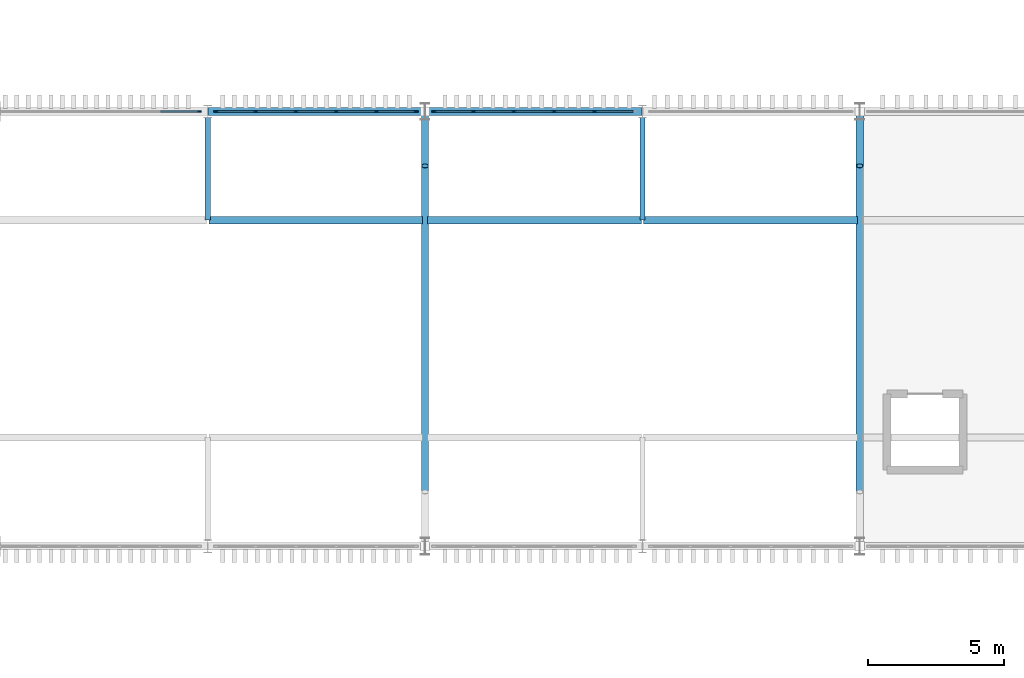
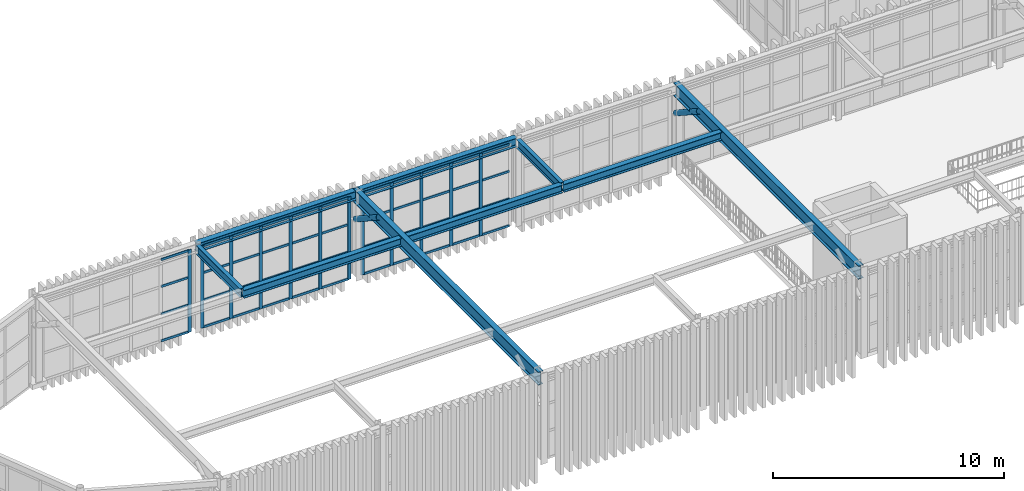
# One storey, part 23 of 61: 58 members, 9 beams, 3 elements without a shape of their own.
"""IFC4 building model written with IfcOpenShell, lengths in metres."""

from ifc_helpers import new_model, si_unit, direction, frame, origin, origin_2d, place, context, subcontext, project, spatial, rectangle, hollow_circle, i_section, extrude, material, material_profile, profile_set, type_object, element, aggregate, save


model = new_model("IFC4")

# Units and contexts
model_context = context("Model", 3, precision=1e-05, world=origin(), true_north=direction((0.0, 1.0)))
body_context = subcontext(model_context, "Body", "Model", "MODEL_VIEW")
ifc_project = project(units=[si_unit("LENGTHUNIT", "METRE"), si_unit("AREAUNIT", "SQUARE_METRE"), si_unit("VOLUMEUNIT", "CUBIC_METRE"), si_unit("PLANEANGLEUNIT", "RADIAN"), si_unit("MASSUNIT", "GRAM", prefix="KILO")], contexts=[model_context])

# Site, building, storey
site_placement = place(None, origin())
site = spatial("IfcSite", under=ifc_project, at=site_placement, CompositionType="ELEMENT")
building_placement = place(site_placement, origin())
building = spatial("IfcBuilding", under=site, at=building_placement, Name="Serraluz Foothill Cableway Terminal", CompositionType="ELEMENT")
storey_placement = place(building_placement, frame((0.0, 0.0, 15.0)))
storey = spatial("IfcBuildingStorey", under=building, at=storey_placement, Name="L03", CompositionType="ELEMENT", Elevation=15.0)

# Beams
ifc_material_1 = material(Name="Steel ASTM A992 Grade 50", Category="steel")
ifc_material_profile_1 = material_profile(ifc_material_1, i_section(OverallWidth=0.256103515625, OverallDepth=0.693115234375, WebThickness=0.014404296875, FlangeThickness=0.023681640625, FilletRadius=0.02001953125, at=origin_2d()), Name="W27X114")
ifc_profile_set_1 = profile_set([ifc_material_profile_1], Name="Steel ASTM A992 Grade 50")
beam_type_1 = type_object("IfcBeamType", Name="TYP-BM-W27X114", PredefinedType="BEAM", material=ifc_profile_set_1)
for number, where, z_axis, x_axis, name in (
    (1, (56.0, 56.0, 4.35009765625), (0.0, 1.0, 0.0), (-1.0, 0.0, 0.0), "ROOF TRUSS TR-02 Tie Girder"),
    (2, (72.0, 56.0, 4.35009765625), (0.0, 1.0, 0.0), (-1.0, 0.0, 0.0), "ROOF TRUSS TR-03 Tie Girder"),
):
    element("IfcBeam", number, at=place(storey_placement, frame(where, z_axis=z_axis, x_axis=x_axis)), inside=storey, type_object=beam_type_1, Name=name, PredefinedType="BEAM", context=body_context, shape_type="SweptSolid", body=[
        extrude(i_section(OverallWidth=0.256103515625, OverallDepth=0.693115234375, WebThickness=0.014404296875, FlangeThickness=0.023681640625, FilletRadius=0.02001953125, at=origin_2d()), origin(), (0.0, 0.0, 1.0), 16.0),
    ])

# Curtain wall, member
ifc_material_2 = material(Name="Architectural bronze alloy C28000", Category="aluminium")
curtain_wall_type_1 = type_object("IfcCurtainWallType", Name="TYP-CW-640X440", PredefinedType="NOTDEFINED", material=ifc_material_2)
curtain_wall_1_placement = place(storey_placement, origin())
curtain_wall_1 = element("IfcCurtainWall", 3, at=curtain_wall_1_placement, inside=storey, type_object=curtain_wall_type_1, Name="Ribbed Glazed Curtain Wall CW-V1N-L03-40", PredefinedType="NOTDEFINED")
ifc_material_profile_2 = material_profile(ifc_material_2, rectangle(XDim=0.06005859375, YDim=0.159912109375, at=origin_2d()), Name="ALU MULLION 60x160")
ifc_profile_set_2 = profile_set([ifc_material_profile_2], Name="Architectural bronze alloy C28000")
member_type_1 = type_object("IfcMemberType", Name="TYP-CW-MUL-60X160", PredefinedType="MULLION", material=ifc_profile_set_2)
member_1_placement = place(storey_placement, frame((47.6884765625, 72.0, 0.0), z_axis=(0.0, 0.0, 1.0), x_axis=(0.0, 1.0, 0.0)))
member_1 = element("IfcMember", 4, at=member_1_placement, type_object=member_type_1, Name="CW-12 mullion 6", PredefinedType="MULLION", context=body_context, shape_type="SweptSolid", body=[
    extrude(rectangle(XDim=0.06005859375, YDim=0.159912109375, at=origin_2d()), origin(), (0.0, 0.0, 1.0), 4.35009765625),
])

# Curtain wall, members
curtain_wall_type_2 = type_object("IfcCurtainWallType", Name="TYP-CW-680X420", PredefinedType="NOTDEFINED", material=ifc_material_2)
curtain_wall_2_placement = place(storey_placement, origin())
curtain_wall_2 = element("IfcCurtainWall", 5, at=curtain_wall_2_placement, inside=storey, type_object=curtain_wall_type_2, Name="Ribbed Glazed Curtain Wall CW-V1N-L03-48", PredefinedType="NOTDEFINED")
member_2_placement = place(storey_placement, frame((48.3115234375, 72.0, 0.0), z_axis=(0.0, 0.0, 1.0), x_axis=(0.0, 1.0, 0.0)))
member_2 = element("IfcMember", 6, at=member_2_placement, type_object=member_type_1, Name="CW-13 mullion 1", PredefinedType="MULLION", context=body_context, shape_type="SweptSolid", body=[
    extrude(rectangle(XDim=0.06005859375, YDim=0.159912109375, at=origin_2d()), origin(), (0.0, 0.0, 1.0), 4.35009765625),
])
member_3_placement = place(storey_placement, frame((49.7646484375, 72.0, 0.0), z_axis=(0.0, 0.0, 1.0), x_axis=(0.0, 1.0, 0.0)))
member_3 = element("IfcMember", 7, at=member_3_placement, type_object=member_type_1, Name="CW-13 mullion 2", PredefinedType="MULLION", context=body_context, shape_type="SweptSolid", body=[
    extrude(rectangle(XDim=0.06005859375, YDim=0.159912109375, at=origin_2d()), origin(), (0.0, 0.0, 1.0), 4.35009765625),
])
member_4_placement = place(storey_placement, frame((51.247802734375, 72.0, 0.0), z_axis=(0.0, 0.0, 1.0), x_axis=(0.0, 1.0, 0.0)))
member_4 = element("IfcMember", 8, at=member_4_placement, type_object=member_type_1, Name="CW-13 mullion 3", PredefinedType="MULLION", context=body_context, shape_type="SweptSolid", body=[
    extrude(rectangle(XDim=0.06005859375, YDim=0.159912109375, at=origin_2d()), origin(), (0.0, 0.0, 1.0), 4.35009765625),
])
member_5_placement = place(storey_placement, frame((52.731201171875, 72.0, 0.0), z_axis=(0.0, 0.0, 1.0), x_axis=(0.0, 1.0, 0.0)))
member_5 = element("IfcMember", 9, at=member_5_placement, type_object=member_type_1, Name="CW-13 mullion 4", PredefinedType="MULLION", context=body_context, shape_type="SweptSolid", body=[
    extrude(rectangle(XDim=0.06005859375, YDim=0.159912109375, at=origin_2d()), origin(), (0.0, 0.0, 1.0), 4.35009765625),
])
member_6_placement = place(storey_placement, frame((54.21435546875, 72.0, 0.0), z_axis=(0.0, 0.0, 1.0), x_axis=(0.0, 1.0, 0.0)))
member_6 = element("IfcMember", 10, at=member_6_placement, type_object=member_type_1, Name="CW-13 mullion 5", PredefinedType="MULLION", context=body_context, shape_type="SweptSolid", body=[
    extrude(rectangle(XDim=0.06005859375, YDim=0.159912109375, at=origin_2d()), origin(), (0.0, 0.0, 1.0), 4.35009765625),
])
member_7_placement = place(storey_placement, frame((55.66748046875, 72.0, 0.0), z_axis=(0.0, 0.0, 1.0), x_axis=(0.0, 1.0, 0.0)))
member_7 = element("IfcMember", 11, at=member_7_placement, type_object=member_type_1, Name="CW-13 mullion 6", PredefinedType="MULLION", context=body_context, shape_type="SweptSolid", body=[
    extrude(rectangle(XDim=0.06005859375, YDim=0.159912109375, at=origin_2d()), origin(), (0.0, 0.0, 1.0), 4.35009765625),
])

curtain_wall_type_3 = type_object("IfcCurtainWallType", Name="TYP-CW-480X380", PredefinedType="NOTDEFINED", material=ifc_material_2)
curtain_wall_3_placement = place(storey_placement, origin())
curtain_wall_3 = element("IfcCurtainWall", 12, at=curtain_wall_3_placement, inside=storey, type_object=curtain_wall_type_3, Name="Ribbed Glazed Curtain Wall CW-V1N-L03-56", PredefinedType="NOTDEFINED")
member_8_placement = place(storey_placement, frame((56.33251953125, 72.0, 0.0), z_axis=(0.0, 0.0, 1.0), x_axis=(0.0, 1.0, 0.0)))
member_8 = element("IfcMember", 13, at=member_8_placement, type_object=member_type_1, Name="CW-14 mullion 1", PredefinedType="MULLION", context=body_context, shape_type="SweptSolid", body=[
    extrude(rectangle(XDim=0.06005859375, YDim=0.159912109375, at=origin_2d()), origin(), (0.0, 0.0, 1.0), 4.35009765625),
])
member_9_placement = place(storey_placement, frame((57.78564453125, 72.0, 0.0), z_axis=(0.0, 0.0, 1.0), x_axis=(0.0, 1.0, 0.0)))
member_9 = element("IfcMember", 14, at=member_9_placement, type_object=member_type_1, Name="CW-14 mullion 2", PredefinedType="MULLION", context=body_context, shape_type="SweptSolid", body=[
    extrude(rectangle(XDim=0.06005859375, YDim=0.159912109375, at=origin_2d()), origin(), (0.0, 0.0, 1.0), 4.35009765625),
])
member_10_placement = place(storey_placement, frame((59.268798828125, 72.0, 0.0), z_axis=(0.0, 0.0, 1.0), x_axis=(0.0, 1.0, 0.0)))
member_10 = element("IfcMember", 15, at=member_10_placement, type_object=member_type_1, Name="CW-14 mullion 3", PredefinedType="MULLION", context=body_context, shape_type="SweptSolid", body=[
    extrude(rectangle(XDim=0.06005859375, YDim=0.159912109375, at=origin_2d()), origin(), (0.0, 0.0, 1.0), 4.35009765625),
])
member_11_placement = place(storey_placement, frame((60.752197265625, 72.0, 0.0), z_axis=(0.0, 0.0, 1.0), x_axis=(0.0, 1.0, 0.0)))
member_11 = element("IfcMember", 16, at=member_11_placement, type_object=member_type_1, Name="CW-14 mullion 4", PredefinedType="MULLION", context=body_context, shape_type="SweptSolid", body=[
    extrude(rectangle(XDim=0.06005859375, YDim=0.159912109375, at=origin_2d()), origin(), (0.0, 0.0, 1.0), 4.35009765625),
])
member_12_placement = place(storey_placement, frame((62.2353515625, 72.0, 0.0), z_axis=(0.0, 0.0, 1.0), x_axis=(0.0, 1.0, 0.0)))
member_12 = element("IfcMember", 17, at=member_12_placement, type_object=member_type_1, Name="CW-14 mullion 5", PredefinedType="MULLION", context=body_context, shape_type="SweptSolid", body=[
    extrude(rectangle(XDim=0.06005859375, YDim=0.159912109375, at=origin_2d()), origin(), (0.0, 0.0, 1.0), 4.35009765625),
])

# Member
ifc_material_profile_3 = material_profile(ifc_material_2, rectangle(XDim=0.06005859375, YDim=0.1201171875, at=origin_2d()), Name="ALU TRANSOM 60x120")
ifc_profile_set_3 = profile_set([ifc_material_profile_3], Name="Architectural bronze alloy C28000")
member_type_2 = type_object("IfcMemberType", Name="TYP-CW-TRN-60X120", PredefinedType="USERDEFINED", material=ifc_profile_set_3)
member_13_placement = place(storey_placement, frame((46.265380859375, 72.0, 0.030029296875), z_axis=(1.0, 0.0, 0.0), x_axis=(0.0, 1.0, 0.0)))
member_13 = element("IfcMember", 18, at=member_13_placement, type_object=member_type_2, Name="CW-12 transom 5.1", ObjectType="TRANSOM", PredefinedType="USERDEFINED", context=body_context, shape_type="SweptSolid", body=[
    extrude(rectangle(XDim=0.06005859375, YDim=0.1201171875, at=origin_2d()), origin(), (0.0, 0.0, 1.0), 1.39306640625),
])

member_14_placement = place(storey_placement, frame((46.265380859375, 72.0, 1.449951171875), z_axis=(1.0, 0.0, 0.0), x_axis=(0.0, 1.0, 0.0)))
member_14 = element("IfcMember", 19, at=member_14_placement, type_object=member_type_2, Name="CW-12 transom 5.2", ObjectType="TRANSOM", PredefinedType="USERDEFINED", context=body_context, shape_type="SweptSolid", body=[
    extrude(rectangle(XDim=0.06005859375, YDim=0.1201171875, at=origin_2d()), origin(), (0.0, 0.0, 1.0), 1.39306640625),
])

member_15_placement = place(storey_placement, frame((46.265380859375, 72.0, 2.89990234375), z_axis=(1.0, 0.0, 0.0), x_axis=(0.0, 1.0, 0.0)))
member_15 = element("IfcMember", 20, at=member_15_placement, type_object=member_type_2, Name="CW-12 transom 5.3", ObjectType="TRANSOM", PredefinedType="USERDEFINED", context=body_context, shape_type="SweptSolid", body=[
    extrude(rectangle(XDim=0.06005859375, YDim=0.1201171875, at=origin_2d()), origin(), (0.0, 0.0, 1.0), 1.39306640625),
])

member_16_placement = place(storey_placement, frame((46.265380859375, 72.0, 4.320068359375), z_axis=(1.0, 0.0, 0.0), x_axis=(0.0, 1.0, 0.0)))
member_16 = element("IfcMember", 21, at=member_16_placement, type_object=member_type_2, Name="CW-12 transom 5.4", ObjectType="TRANSOM", PredefinedType="USERDEFINED", context=body_context, shape_type="SweptSolid", body=[
    extrude(rectangle(XDim=0.06005859375, YDim=0.1201171875, at=origin_2d()), origin(), (0.0, 0.0, 1.0), 1.39306640625),
])

aggregate(curtain_wall_1, [member_1, member_13, member_14, member_15, member_16])

member_17_placement = place(storey_placement, frame((48.341552734375, 72.0, 0.030029296875), z_axis=(1.0, 0.0, 0.0), x_axis=(0.0, 1.0, 0.0)))
member_17 = element("IfcMember", 22, at=member_17_placement, type_object=member_type_2, Name="CW-13 transom 1.1", ObjectType="TRANSOM", PredefinedType="USERDEFINED", context=body_context, shape_type="SweptSolid", body=[
    extrude(rectangle(XDim=0.06005859375, YDim=0.1201171875, at=origin_2d()), origin(), (0.0, 0.0, 1.0), 1.39306640625),
])

member_18_placement = place(storey_placement, frame((48.341552734375, 72.0, 1.449951171875), z_axis=(1.0, 0.0, 0.0), x_axis=(0.0, 1.0, 0.0)))
member_18 = element("IfcMember", 23, at=member_18_placement, type_object=member_type_2, Name="CW-13 transom 1.2", ObjectType="TRANSOM", PredefinedType="USERDEFINED", context=body_context, shape_type="SweptSolid", body=[
    extrude(rectangle(XDim=0.06005859375, YDim=0.1201171875, at=origin_2d()), origin(), (0.0, 0.0, 1.0), 1.39306640625),
])

member_19_placement = place(storey_placement, frame((48.341552734375, 72.0, 2.89990234375), z_axis=(1.0, 0.0, 0.0), x_axis=(0.0, 1.0, 0.0)))
member_19 = element("IfcMember", 24, at=member_19_placement, type_object=member_type_2, Name="CW-13 transom 1.3", ObjectType="TRANSOM", PredefinedType="USERDEFINED", context=body_context, shape_type="SweptSolid", body=[
    extrude(rectangle(XDim=0.06005859375, YDim=0.1201171875, at=origin_2d()), origin(), (0.0, 0.0, 1.0), 1.39306640625),
])

member_20_placement = place(storey_placement, frame((48.341552734375, 72.0, 4.320068359375), z_axis=(1.0, 0.0, 0.0), x_axis=(0.0, 1.0, 0.0)))
member_20 = element("IfcMember", 25, at=member_20_placement, type_object=member_type_2, Name="CW-13 transom 1.4", ObjectType="TRANSOM", PredefinedType="USERDEFINED", context=body_context, shape_type="SweptSolid", body=[
    extrude(rectangle(XDim=0.06005859375, YDim=0.1201171875, at=origin_2d()), origin(), (0.0, 0.0, 1.0), 1.39306640625),
])

member_21_placement = place(storey_placement, frame((49.794677734375, 72.0, 0.030029296875), z_axis=(1.0, 0.0, 0.0), x_axis=(0.0, 1.0, 0.0)))
member_21 = element("IfcMember", 26, at=member_21_placement, type_object=member_type_2, Name="CW-13 transom 2.1", ObjectType="TRANSOM", PredefinedType="USERDEFINED", context=body_context, shape_type="SweptSolid", body=[
    extrude(rectangle(XDim=0.06005859375, YDim=0.1201171875, at=origin_2d()), origin(), (0.0, 0.0, 1.0), 1.42333984375),
])

member_22_placement = place(storey_placement, frame((49.794677734375, 72.0, 1.449951171875), z_axis=(1.0, 0.0, 0.0), x_axis=(0.0, 1.0, 0.0)))
member_22 = element("IfcMember", 27, at=member_22_placement, type_object=member_type_2, Name="CW-13 transom 2.2", ObjectType="TRANSOM", PredefinedType="USERDEFINED", context=body_context, shape_type="SweptSolid", body=[
    extrude(rectangle(XDim=0.06005859375, YDim=0.1201171875, at=origin_2d()), origin(), (0.0, 0.0, 1.0), 1.42333984375),
])

member_23_placement = place(storey_placement, frame((49.794677734375, 72.0, 2.89990234375), z_axis=(1.0, 0.0, 0.0), x_axis=(0.0, 1.0, 0.0)))
member_23 = element("IfcMember", 28, at=member_23_placement, type_object=member_type_2, Name="CW-13 transom 2.3", ObjectType="TRANSOM", PredefinedType="USERDEFINED", context=body_context, shape_type="SweptSolid", body=[
    extrude(rectangle(XDim=0.06005859375, YDim=0.1201171875, at=origin_2d()), origin(), (0.0, 0.0, 1.0), 1.42333984375),
])

member_24_placement = place(storey_placement, frame((49.794677734375, 72.0, 4.320068359375), z_axis=(1.0, 0.0, 0.0), x_axis=(0.0, 1.0, 0.0)))
member_24 = element("IfcMember", 29, at=member_24_placement, type_object=member_type_2, Name="CW-13 transom 2.4", ObjectType="TRANSOM", PredefinedType="USERDEFINED", context=body_context, shape_type="SweptSolid", body=[
    extrude(rectangle(XDim=0.06005859375, YDim=0.1201171875, at=origin_2d()), origin(), (0.0, 0.0, 1.0), 1.42333984375),
])

member_25_placement = place(storey_placement, frame((51.27783203125, 72.0, 0.030029296875), z_axis=(1.0, 0.0, 0.0), x_axis=(0.0, 1.0, 0.0)))
member_25 = element("IfcMember", 30, at=member_25_placement, type_object=member_type_2, Name="CW-13 transom 3.1", ObjectType="TRANSOM", PredefinedType="USERDEFINED", context=body_context, shape_type="SweptSolid", body=[
    extrude(rectangle(XDim=0.06005859375, YDim=0.1201171875, at=origin_2d()), origin(), (0.0, 0.0, 1.0), 1.42333984375),
])

member_26_placement = place(storey_placement, frame((51.27783203125, 72.0, 1.449951171875), z_axis=(1.0, 0.0, 0.0), x_axis=(0.0, 1.0, 0.0)))
member_26 = element("IfcMember", 31, at=member_26_placement, type_object=member_type_2, Name="CW-13 transom 3.2", ObjectType="TRANSOM", PredefinedType="USERDEFINED", context=body_context, shape_type="SweptSolid", body=[
    extrude(rectangle(XDim=0.06005859375, YDim=0.1201171875, at=origin_2d()), origin(), (0.0, 0.0, 1.0), 1.42333984375),
])

member_27_placement = place(storey_placement, frame((51.27783203125, 72.0, 2.89990234375), z_axis=(1.0, 0.0, 0.0), x_axis=(0.0, 1.0, 0.0)))
member_27 = element("IfcMember", 32, at=member_27_placement, type_object=member_type_2, Name="CW-13 transom 3.3", ObjectType="TRANSOM", PredefinedType="USERDEFINED", context=body_context, shape_type="SweptSolid", body=[
    extrude(rectangle(XDim=0.06005859375, YDim=0.1201171875, at=origin_2d()), origin(), (0.0, 0.0, 1.0), 1.42333984375),
])

member_28_placement = place(storey_placement, frame((51.27783203125, 72.0, 4.320068359375), z_axis=(1.0, 0.0, 0.0), x_axis=(0.0, 1.0, 0.0)))
member_28 = element("IfcMember", 33, at=member_28_placement, type_object=member_type_2, Name="CW-13 transom 3.4", ObjectType="TRANSOM", PredefinedType="USERDEFINED", context=body_context, shape_type="SweptSolid", body=[
    extrude(rectangle(XDim=0.06005859375, YDim=0.1201171875, at=origin_2d()), origin(), (0.0, 0.0, 1.0), 1.42333984375),
])

member_29_placement = place(storey_placement, frame((52.760986328125, 72.0, 0.030029296875), z_axis=(1.0, 0.0, 0.0), x_axis=(0.0, 1.0, 0.0)))
member_29 = element("IfcMember", 34, at=member_29_placement, type_object=member_type_2, Name="CW-13 transom 4.1", ObjectType="TRANSOM", PredefinedType="USERDEFINED", context=body_context, shape_type="SweptSolid", body=[
    extrude(rectangle(XDim=0.06005859375, YDim=0.1201171875, at=origin_2d()), origin(), (0.0, 0.0, 1.0), 1.42333984375),
])

member_30_placement = place(storey_placement, frame((52.760986328125, 72.0, 1.449951171875), z_axis=(1.0, 0.0, 0.0), x_axis=(0.0, 1.0, 0.0)))
member_30 = element("IfcMember", 35, at=member_30_placement, type_object=member_type_2, Name="CW-13 transom 4.2", ObjectType="TRANSOM", PredefinedType="USERDEFINED", context=body_context, shape_type="SweptSolid", body=[
    extrude(rectangle(XDim=0.06005859375, YDim=0.1201171875, at=origin_2d()), origin(), (0.0, 0.0, 1.0), 1.42333984375),
])

member_31_placement = place(storey_placement, frame((52.760986328125, 72.0, 2.89990234375), z_axis=(1.0, 0.0, 0.0), x_axis=(0.0, 1.0, 0.0)))
member_31 = element("IfcMember", 36, at=member_31_placement, type_object=member_type_2, Name="CW-13 transom 4.3", ObjectType="TRANSOM", PredefinedType="USERDEFINED", context=body_context, shape_type="SweptSolid", body=[
    extrude(rectangle(XDim=0.06005859375, YDim=0.1201171875, at=origin_2d()), origin(), (0.0, 0.0, 1.0), 1.42333984375),
])

member_32_placement = place(storey_placement, frame((52.760986328125, 72.0, 4.320068359375), z_axis=(1.0, 0.0, 0.0), x_axis=(0.0, 1.0, 0.0)))
member_32 = element("IfcMember", 37, at=member_32_placement, type_object=member_type_2, Name="CW-13 transom 4.4", ObjectType="TRANSOM", PredefinedType="USERDEFINED", context=body_context, shape_type="SweptSolid", body=[
    extrude(rectangle(XDim=0.06005859375, YDim=0.1201171875, at=origin_2d()), origin(), (0.0, 0.0, 1.0), 1.42333984375),
])

member_33_placement = place(storey_placement, frame((54.244384765625, 72.0, 0.030029296875), z_axis=(1.0, 0.0, 0.0), x_axis=(0.0, 1.0, 0.0)))
member_33 = element("IfcMember", 38, at=member_33_placement, type_object=member_type_2, Name="CW-13 transom 5.1", ObjectType="TRANSOM", PredefinedType="USERDEFINED", context=body_context, shape_type="SweptSolid", body=[
    extrude(rectangle(XDim=0.06005859375, YDim=0.1201171875, at=origin_2d()), origin(), (0.0, 0.0, 1.0), 1.39306640625),
])

member_34_placement = place(storey_placement, frame((54.244384765625, 72.0, 1.449951171875), z_axis=(1.0, 0.0, 0.0), x_axis=(0.0, 1.0, 0.0)))
member_34 = element("IfcMember", 39, at=member_34_placement, type_object=member_type_2, Name="CW-13 transom 5.2", ObjectType="TRANSOM", PredefinedType="USERDEFINED", context=body_context, shape_type="SweptSolid", body=[
    extrude(rectangle(XDim=0.06005859375, YDim=0.1201171875, at=origin_2d()), origin(), (0.0, 0.0, 1.0), 1.39306640625),
])

member_35_placement = place(storey_placement, frame((54.244384765625, 72.0, 2.89990234375), z_axis=(1.0, 0.0, 0.0), x_axis=(0.0, 1.0, 0.0)))
member_35 = element("IfcMember", 40, at=member_35_placement, type_object=member_type_2, Name="CW-13 transom 5.3", ObjectType="TRANSOM", PredefinedType="USERDEFINED", context=body_context, shape_type="SweptSolid", body=[
    extrude(rectangle(XDim=0.06005859375, YDim=0.1201171875, at=origin_2d()), origin(), (0.0, 0.0, 1.0), 1.39306640625),
])

member_36_placement = place(storey_placement, frame((54.244384765625, 72.0, 4.320068359375), z_axis=(1.0, 0.0, 0.0), x_axis=(0.0, 1.0, 0.0)))
member_36 = element("IfcMember", 41, at=member_36_placement, type_object=member_type_2, Name="CW-13 transom 5.4", ObjectType="TRANSOM", PredefinedType="USERDEFINED", context=body_context, shape_type="SweptSolid", body=[
    extrude(rectangle(XDim=0.06005859375, YDim=0.1201171875, at=origin_2d()), origin(), (0.0, 0.0, 1.0), 1.39306640625),
])

aggregate(curtain_wall_2, [member_2, member_3, member_4, member_5, member_6, member_7, member_17, member_18, member_19, member_20, member_21, member_22, member_23, member_24, member_25, member_26, member_27, member_28, member_29, member_30, member_31, member_32, member_33, member_34, member_35, member_36])

member_37_placement = place(storey_placement, frame((56.362548828125, 72.0, 0.030029296875), z_axis=(1.0, 0.0, 0.0), x_axis=(0.0, 1.0, 0.0)))
member_37 = element("IfcMember", 42, at=member_37_placement, type_object=member_type_2, Name="CW-14 transom 1.1", ObjectType="TRANSOM", PredefinedType="USERDEFINED", context=body_context, shape_type="SweptSolid", body=[
    extrude(rectangle(XDim=0.06005859375, YDim=0.1201171875, at=origin_2d()), origin(), (0.0, 0.0, 1.0), 1.39306640625),
])

member_38_placement = place(storey_placement, frame((56.362548828125, 72.0, 1.449951171875), z_axis=(1.0, 0.0, 0.0), x_axis=(0.0, 1.0, 0.0)))
member_38 = element("IfcMember", 43, at=member_38_placement, type_object=member_type_2, Name="CW-14 transom 1.2", ObjectType="TRANSOM", PredefinedType="USERDEFINED", context=body_context, shape_type="SweptSolid", body=[
    extrude(rectangle(XDim=0.06005859375, YDim=0.1201171875, at=origin_2d()), origin(), (0.0, 0.0, 1.0), 1.39306640625),
])

member_39_placement = place(storey_placement, frame((56.362548828125, 72.0, 2.89990234375), z_axis=(1.0, 0.0, 0.0), x_axis=(0.0, 1.0, 0.0)))
member_39 = element("IfcMember", 44, at=member_39_placement, type_object=member_type_2, Name="CW-14 transom 1.3", ObjectType="TRANSOM", PredefinedType="USERDEFINED", context=body_context, shape_type="SweptSolid", body=[
    extrude(rectangle(XDim=0.06005859375, YDim=0.1201171875, at=origin_2d()), origin(), (0.0, 0.0, 1.0), 1.39306640625),
])

member_40_placement = place(storey_placement, frame((56.362548828125, 72.0, 4.320068359375), z_axis=(1.0, 0.0, 0.0), x_axis=(0.0, 1.0, 0.0)))
member_40 = element("IfcMember", 45, at=member_40_placement, type_object=member_type_2, Name="CW-14 transom 1.4", ObjectType="TRANSOM", PredefinedType="USERDEFINED", context=body_context, shape_type="SweptSolid", body=[
    extrude(rectangle(XDim=0.06005859375, YDim=0.1201171875, at=origin_2d()), origin(), (0.0, 0.0, 1.0), 1.39306640625),
])

member_41_placement = place(storey_placement, frame((57.815673828125, 72.0, 0.030029296875), z_axis=(1.0, 0.0, 0.0), x_axis=(0.0, 1.0, 0.0)))
member_41 = element("IfcMember", 46, at=member_41_placement, type_object=member_type_2, Name="CW-14 transom 2.1", ObjectType="TRANSOM", PredefinedType="USERDEFINED", context=body_context, shape_type="SweptSolid", body=[
    extrude(rectangle(XDim=0.06005859375, YDim=0.1201171875, at=origin_2d()), origin(), (0.0, 0.0, 1.0), 1.42333984375),
])

member_42_placement = place(storey_placement, frame((57.815673828125, 72.0, 1.449951171875), z_axis=(1.0, 0.0, 0.0), x_axis=(0.0, 1.0, 0.0)))
member_42 = element("IfcMember", 47, at=member_42_placement, type_object=member_type_2, Name="CW-14 transom 2.2", ObjectType="TRANSOM", PredefinedType="USERDEFINED", context=body_context, shape_type="SweptSolid", body=[
    extrude(rectangle(XDim=0.06005859375, YDim=0.1201171875, at=origin_2d()), origin(), (0.0, 0.0, 1.0), 1.42333984375),
])

member_43_placement = place(storey_placement, frame((57.815673828125, 72.0, 2.89990234375), z_axis=(1.0, 0.0, 0.0), x_axis=(0.0, 1.0, 0.0)))
member_43 = element("IfcMember", 48, at=member_43_placement, type_object=member_type_2, Name="CW-14 transom 2.3", ObjectType="TRANSOM", PredefinedType="USERDEFINED", context=body_context, shape_type="SweptSolid", body=[
    extrude(rectangle(XDim=0.06005859375, YDim=0.1201171875, at=origin_2d()), origin(), (0.0, 0.0, 1.0), 1.42333984375),
])

member_44_placement = place(storey_placement, frame((57.815673828125, 72.0, 4.320068359375), z_axis=(1.0, 0.0, 0.0), x_axis=(0.0, 1.0, 0.0)))
member_44 = element("IfcMember", 49, at=member_44_placement, type_object=member_type_2, Name="CW-14 transom 2.4", ObjectType="TRANSOM", PredefinedType="USERDEFINED", context=body_context, shape_type="SweptSolid", body=[
    extrude(rectangle(XDim=0.06005859375, YDim=0.1201171875, at=origin_2d()), origin(), (0.0, 0.0, 1.0), 1.42333984375),
])

member_45_placement = place(storey_placement, frame((59.298828125, 72.0, 0.030029296875), z_axis=(1.0, 0.0, 0.0), x_axis=(0.0, 1.0, 0.0)))
member_45 = element("IfcMember", 50, at=member_45_placement, type_object=member_type_2, Name="CW-14 transom 3.1", ObjectType="TRANSOM", PredefinedType="USERDEFINED", context=body_context, shape_type="SweptSolid", body=[
    extrude(rectangle(XDim=0.06005859375, YDim=0.1201171875, at=origin_2d()), origin(), (0.0, 0.0, 1.0), 1.42333984375),
])

member_46_placement = place(storey_placement, frame((59.298828125, 72.0, 1.449951171875), z_axis=(1.0, 0.0, 0.0), x_axis=(0.0, 1.0, 0.0)))
member_46 = element("IfcMember", 51, at=member_46_placement, type_object=member_type_2, Name="CW-14 transom 3.2", ObjectType="TRANSOM", PredefinedType="USERDEFINED", context=body_context, shape_type="SweptSolid", body=[
    extrude(rectangle(XDim=0.06005859375, YDim=0.1201171875, at=origin_2d()), origin(), (0.0, 0.0, 1.0), 1.42333984375),
])

member_47_placement = place(storey_placement, frame((59.298828125, 72.0, 2.89990234375), z_axis=(1.0, 0.0, 0.0), x_axis=(0.0, 1.0, 0.0)))
member_47 = element("IfcMember", 52, at=member_47_placement, type_object=member_type_2, Name="CW-14 transom 3.3", ObjectType="TRANSOM", PredefinedType="USERDEFINED", context=body_context, shape_type="SweptSolid", body=[
    extrude(rectangle(XDim=0.06005859375, YDim=0.1201171875, at=origin_2d()), origin(), (0.0, 0.0, 1.0), 1.42333984375),
])

member_48_placement = place(storey_placement, frame((59.298828125, 72.0, 4.320068359375), z_axis=(1.0, 0.0, 0.0), x_axis=(0.0, 1.0, 0.0)))
member_48 = element("IfcMember", 53, at=member_48_placement, type_object=member_type_2, Name="CW-14 transom 3.4", ObjectType="TRANSOM", PredefinedType="USERDEFINED", context=body_context, shape_type="SweptSolid", body=[
    extrude(rectangle(XDim=0.06005859375, YDim=0.1201171875, at=origin_2d()), origin(), (0.0, 0.0, 1.0), 1.42333984375),
])

member_49_placement = place(storey_placement, frame((60.781982421875, 72.0, 0.030029296875), z_axis=(1.0, 0.0, 0.0), x_axis=(0.0, 1.0, 0.0)))
member_49 = element("IfcMember", 54, at=member_49_placement, type_object=member_type_2, Name="CW-14 transom 4.1", ObjectType="TRANSOM", PredefinedType="USERDEFINED", context=body_context, shape_type="SweptSolid", body=[
    extrude(rectangle(XDim=0.06005859375, YDim=0.1201171875, at=origin_2d()), origin(), (0.0, 0.0, 1.0), 1.42333984375),
])

member_50_placement = place(storey_placement, frame((60.781982421875, 72.0, 1.449951171875), z_axis=(1.0, 0.0, 0.0), x_axis=(0.0, 1.0, 0.0)))
member_50 = element("IfcMember", 55, at=member_50_placement, type_object=member_type_2, Name="CW-14 transom 4.2", ObjectType="TRANSOM", PredefinedType="USERDEFINED", context=body_context, shape_type="SweptSolid", body=[
    extrude(rectangle(XDim=0.06005859375, YDim=0.1201171875, at=origin_2d()), origin(), (0.0, 0.0, 1.0), 1.42333984375),
])

member_51_placement = place(storey_placement, frame((60.781982421875, 72.0, 2.89990234375), z_axis=(1.0, 0.0, 0.0), x_axis=(0.0, 1.0, 0.0)))
member_51 = element("IfcMember", 56, at=member_51_placement, type_object=member_type_2, Name="CW-14 transom 4.3", ObjectType="TRANSOM", PredefinedType="USERDEFINED", context=body_context, shape_type="SweptSolid", body=[
    extrude(rectangle(XDim=0.06005859375, YDim=0.1201171875, at=origin_2d()), origin(), (0.0, 0.0, 1.0), 1.42333984375),
])

member_52_placement = place(storey_placement, frame((60.781982421875, 72.0, 4.320068359375), z_axis=(1.0, 0.0, 0.0), x_axis=(0.0, 1.0, 0.0)))
member_52 = element("IfcMember", 57, at=member_52_placement, type_object=member_type_2, Name="CW-14 transom 4.4", ObjectType="TRANSOM", PredefinedType="USERDEFINED", context=body_context, shape_type="SweptSolid", body=[
    extrude(rectangle(XDim=0.06005859375, YDim=0.1201171875, at=origin_2d()), origin(), (0.0, 0.0, 1.0), 1.42333984375),
])

member_53_placement = place(storey_placement, frame((62.265380859375, 72.0, 0.030029296875), z_axis=(1.0, 0.0, 0.0), x_axis=(0.0, 1.0, 0.0)))
member_53 = element("IfcMember", 58, at=member_53_placement, type_object=member_type_2, Name="CW-14 transom 5.1", ObjectType="TRANSOM", PredefinedType="USERDEFINED", context=body_context, shape_type="SweptSolid", body=[
    extrude(rectangle(XDim=0.06005859375, YDim=0.1201171875, at=origin_2d()), origin(), (0.0, 0.0, 1.0), 1.39306640625),
])

member_54_placement = place(storey_placement, frame((62.265380859375, 72.0, 1.449951171875), z_axis=(1.0, 0.0, 0.0), x_axis=(0.0, 1.0, 0.0)))
member_54 = element("IfcMember", 59, at=member_54_placement, type_object=member_type_2, Name="CW-14 transom 5.2", ObjectType="TRANSOM", PredefinedType="USERDEFINED", context=body_context, shape_type="SweptSolid", body=[
    extrude(rectangle(XDim=0.06005859375, YDim=0.1201171875, at=origin_2d()), origin(), (0.0, 0.0, 1.0), 1.39306640625),
])

member_55_placement = place(storey_placement, frame((62.265380859375, 72.0, 2.89990234375), z_axis=(1.0, 0.0, 0.0), x_axis=(0.0, 1.0, 0.0)))
member_55 = element("IfcMember", 60, at=member_55_placement, type_object=member_type_2, Name="CW-14 transom 5.3", ObjectType="TRANSOM", PredefinedType="USERDEFINED", context=body_context, shape_type="SweptSolid", body=[
    extrude(rectangle(XDim=0.06005859375, YDim=0.1201171875, at=origin_2d()), origin(), (0.0, 0.0, 1.0), 1.39306640625),
])

member_56_placement = place(storey_placement, frame((62.265380859375, 72.0, 4.320068359375), z_axis=(1.0, 0.0, 0.0), x_axis=(0.0, 1.0, 0.0)))
member_56 = element("IfcMember", 61, at=member_56_placement, type_object=member_type_2, Name="CW-14 transom 5.4", ObjectType="TRANSOM", PredefinedType="USERDEFINED", context=body_context, shape_type="SweptSolid", body=[
    extrude(rectangle(XDim=0.06005859375, YDim=0.1201171875, at=origin_2d()), origin(), (0.0, 0.0, 1.0), 1.39306640625),
])

aggregate(curtain_wall_3, [member_8, member_9, member_10, member_11, member_12, member_37, member_38, member_39, member_40, member_41, member_42, member_43, member_44, member_45, member_46, member_47, member_48, member_49, member_50, member_51, member_52, member_53, member_54, member_55, member_56])

# Beams
ifc_material_profile_4 = material_profile(ifc_material_1, i_section(OverallWidth=0.260009765625, OverallDepth=0.4189453125, WebThickness=0.01171875, FlangeThickness=0.019287109375, FilletRadius=0.013916015625, at=origin_2d()), Name="W16X77")
ifc_profile_set_4 = profile_set([ifc_material_profile_4], Name="Steel ASTM A992 Grade 50")
beam_type_2 = type_object("IfcBeamType", Name="TYP-JS-W16X77", PredefinedType="JOIST", material=ifc_profile_set_4)
for number, where, z_axis, x_axis, name in (
    (62, (48.0400390625, 68.0, 4.35009765625), (1.0, 0.0, 0.0), (0.0, 1.0, 0.0), "Eaves Gallery Support Beam 48-68"),
    (63, (56.0849609375, 68.0, 4.35009765625), (1.0, 0.0, 0.0), (0.0, 1.0, 0.0), "Eaves Gallery Support Beam 56-68"),
    (64, (64.0400390625, 68.0, 4.35009765625), (1.0, 0.0, 0.0), (0.0, 1.0, 0.0), "Eaves Gallery Support Beam 64-68"),
):
    element("IfcBeam", number, at=place(storey_placement, frame(where, z_axis=z_axis, x_axis=x_axis)), inside=storey, type_object=beam_type_2, Name=name, PredefinedType="JOIST", context=body_context, shape_type="SweptSolid", body=[
        extrude(i_section(OverallWidth=0.260009765625, OverallDepth=0.4189453125, WebThickness=0.01171875, FlangeThickness=0.019287109375, FilletRadius=0.013916015625, at=origin_2d()), origin(), (0.0, 0.0, 1.0), 7.875),
    ])
ifc_material_profile_5 = material_profile(ifc_material_1, i_section(OverallWidth=0.193115234375, OverallDepth=0.467041015625, WebThickness=0.011474609375, FlangeThickness=0.01904296875, FilletRadius=0.014892578125, at=origin_2d()), Name="W18X65")
ifc_profile_set_5 = profile_set([ifc_material_profile_5], Name="Steel ASTM A992 Grade 50")
beam_type_3 = type_object("IfcBeamType", Name="TYP-JS-W18X65", PredefinedType="JOIST", material=ifc_profile_set_5)
for number, where, z_axis, x_axis, name in (
    (65, (48.0, 68.0, 4.3798828125), (0.0, 1.0, 0.0), (-1.0, 0.0, 0.0), "Eaves Gallery Bracket Tie 48-68"),
    (66, (64.0, 68.0, 4.3798828125), (0.0, 1.0, 0.0), (-1.0, 0.0, 0.0), "Eaves Gallery Bracket Tie 64-68"),
):
    element("IfcBeam", number, at=place(storey_placement, frame(where, z_axis=z_axis, x_axis=x_axis)), inside=storey, type_object=beam_type_3, Name=name, PredefinedType="JOIST", context=body_context, shape_type="SweptSolid", body=[
        extrude(i_section(OverallWidth=0.193115234375, OverallDepth=0.467041015625, WebThickness=0.011474609375, FlangeThickness=0.01904296875, FilletRadius=0.014892578125, at=origin_2d()), origin(), (0.0, 0.0, 1.0), 3.800048828125),
    ])
ifc_material_profile_6 = material_profile(ifc_material_1, i_section(OverallWidth=0.282958984375, OverallDepth=0.471923828125, WebThickness=0.013671875, FlangeThickness=0.022216796875, FilletRadius=0.014892578125, at=origin_2d()), Name="W18X97")
ifc_profile_set_6 = profile_set([ifc_material_profile_6], Name="Steel ASTM A992 Grade 50")
beam_type_4 = type_object("IfcBeamType", Name="TYP-SP-W18X97", PredefinedType="SPANDREL", material=ifc_profile_set_6)
for number, where, z_axis, x_axis, name in (
    (67, (48.0048828125, 72.0, 4.384033203125), (1.0, 0.0, 0.0), (0.0, 1.0, 0.0), "Primary Girder BM-X-L03-0364"),
    (68, (56.0048828125, 72.0, 4.384033203125), (1.0, 0.0, 0.0), (0.0, 1.0, 0.0), "Primary Girder BM-X-L03-0365"),
):
    element("IfcBeam", number, at=place(storey_placement, frame(where, z_axis=z_axis, x_axis=x_axis)), inside=storey, type_object=beam_type_4, Name=name, PredefinedType="SPANDREL", context=body_context, shape_type="SweptSolid", body=[
        extrude(i_section(OverallWidth=0.282958984375, OverallDepth=0.471923828125, WebThickness=0.013671875, FlangeThickness=0.022216796875, FilletRadius=0.014892578125, at=origin_2d()), origin(), (0.0, 0.0, 1.0), 7.990234375),
    ])

# Members
ifc_material_3 = material(Name="Steel ASTM A572 Grade 50", Category="steel")
ifc_material_profile_7 = material_profile(ifc_material_3, hollow_circle(Radius=0.136474609375, WallThickness=0.011962890625, at=origin_2d()), Name="CHS273X12")
ifc_profile_set_7 = profile_set([ifc_material_profile_7], Name="Steel ASTM A572 Grade 50")
member_type_3 = type_object("IfcMemberType", Name="TYP-ST-CHS273", PredefinedType="STRUT", material=ifc_profile_set_7)
for number, where, z_axis, x_axis, name in (
    (69, (56.0, 72.0, 3.050048828125), (0.0, -0.838434262763, 0.545002740383), (1.0, 0.0, 0.0), "Portal Knee Strut STRUT-TR-02-N"),
    (70, (72.0, 72.0, 3.050048828125), (0.0, -0.838434262763, 0.545002740383), (1.0, 0.0, 0.0), "Portal Knee Strut STRUT-TR-03-N"),
):
    element("IfcMember", number, at=place(storey_placement, frame(where, z_axis=z_axis, x_axis=x_axis)), inside=storey, type_object=member_type_3, Name=name, PredefinedType="STRUT", context=body_context, shape_type="SweptSolid", body=[
        extrude(hollow_circle(Radius=0.136474609375, WallThickness=0.011962890625, at=origin_2d()), origin(), (0.0, 0.0, 1.0), 2.385498046875),
    ])

save(model, "model.ifc")
